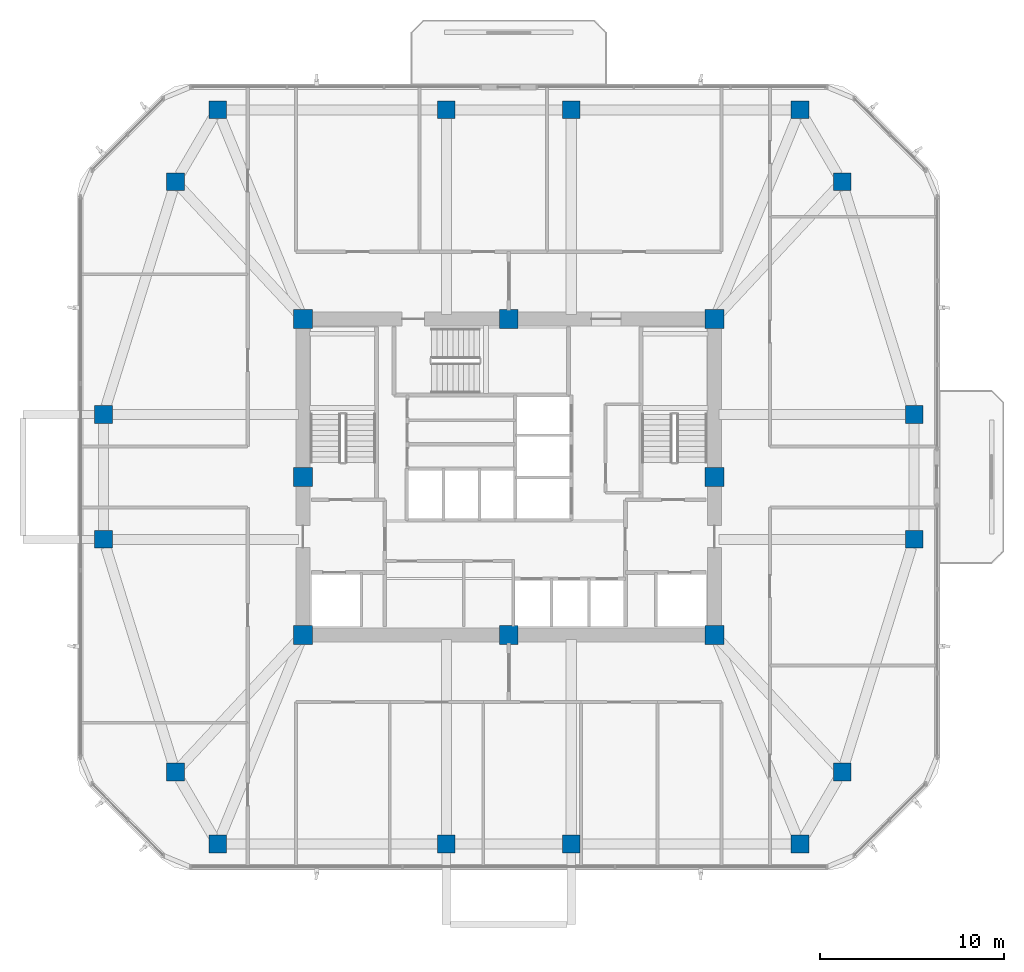
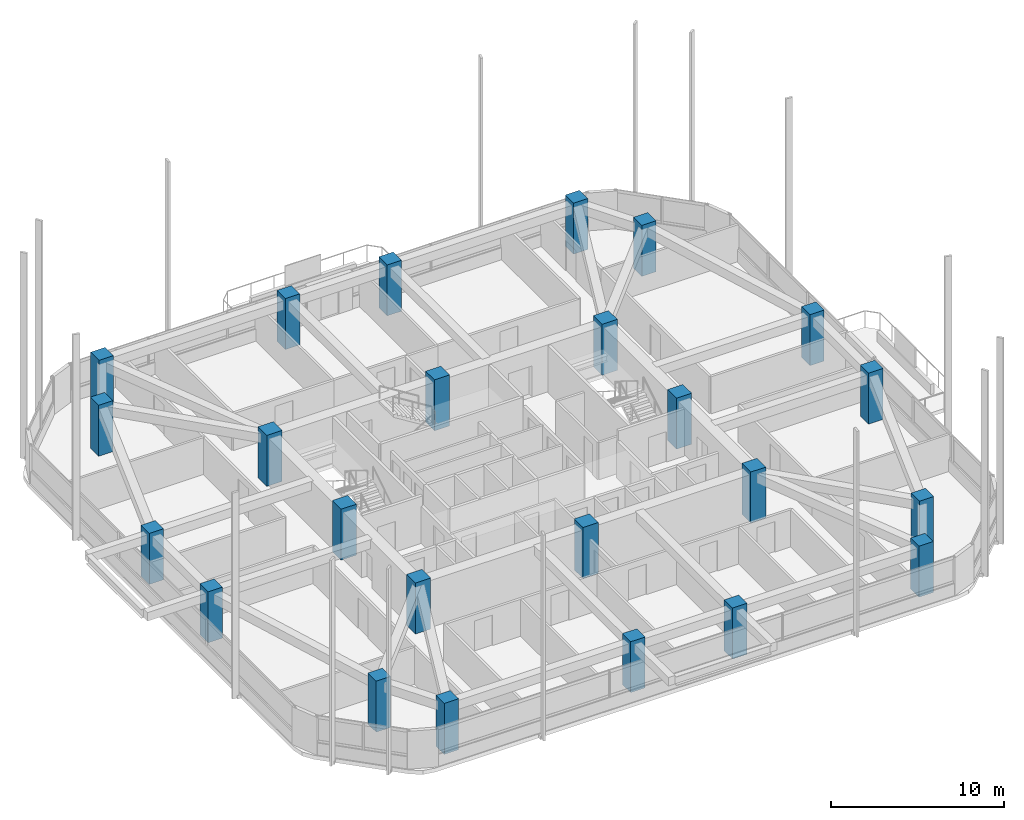
# One storey, part 1 of 14: 24 columns.
"""IFC4 building model written with IfcOpenShell, lengths in metres."""

from ifc_helpers import new_model, si_unit, derived_unit, direction, frame, origin, origin_2d, place, context, subcontext, project, spatial, rectangle, extrude, material, material_profile, profile_set, type_object, element, save


model = new_model("IFC4")

# Units and contexts
model_context = context("Model", 3, precision=1e-05, world=origin(), true_north=direction((0.0, 1.0)))
body_context = subcontext(model_context, "Body", "Model", "MODEL_VIEW")
ifc_project = project(units=[si_unit("LENGTHUNIT", "METRE"), si_unit("AREAUNIT", "SQUARE_METRE"), si_unit("VOLUMEUNIT", "CUBIC_METRE"), si_unit("PLANEANGLEUNIT", "RADIAN"), si_unit("MASSUNIT", "GRAM", prefix="KILO"), derived_unit("THERMALTRANSMITTANCEUNIT", [(si_unit("POWERUNIT", "WATT"), 1), (si_unit("LENGTHUNIT", "METRE"), -2), (si_unit("THERMODYNAMICTEMPERATUREUNIT", "KELVIN"), -1)])], contexts=[model_context])

# Site, building, storey
site_placement = place(None, origin())
site = spatial("IfcSite", under=ifc_project, at=site_placement, CompositionType="ELEMENT")
building_placement = place(site_placement, origin())
building = spatial("IfcBuilding", under=site, at=building_placement, Name="Koralith Skygarden Medical Center", CompositionType="ELEMENT")
storey_placement = place(building_placement, frame((0.0, 0.0, 145.6201171875)))
storey = spatial("IfcBuildingStorey", under=building, at=storey_placement, Name="L37", CompositionType="ELEMENT", Elevation=145.6201171875)

# Columns
ifc_material_1 = material(Name="Concrete C70/85", Category="concrete")
ifc_material_profile_1 = material_profile(ifc_material_1, rectangle(XDim=1.02001953125, YDim=1.02001953125, at=origin_2d()), Name="RC1020X1020")
ifc_profile_set_1 = profile_set([ifc_material_profile_1], Name="Concrete C70/85")
column_type_1 = type_object("IfcColumnType", Name="Core Mega-Column C70 RC1020", PredefinedType="COLUMN", material=ifc_profile_set_1)
for number, where, z_axis, x_axis, name in (
    (1, (25.800048828125, 17.300048828125, 0.0), (0.0, 0.0, 1.0), (1.0, 0.0, 0.0), "L37 Core Column CC-01"),
    (2, (37.0, 17.300048828125, 0.0), (0.0, 0.0, 1.0), (1.0, 0.0, 0.0), "L37 Core Column CC-02"),
    (3, (48.199951171875, 17.300048828125, 0.0), (0.0, 0.0, 1.0), (1.0, 0.0, 0.0), "L37 Core Column CC-03"),
    (4, (48.199951171875, 25.89990234375, 0.0), (0.0, 0.0, 1.0), (1.0, 0.0, 0.0), "L37 Core Column CC-04"),
    (5, (48.199951171875, 34.5, 0.0), (0.0, 0.0, 1.0), (1.0, 0.0, 0.0), "L37 Core Column CC-05"),
    (6, (37.0, 34.5, 0.0), (0.0, 0.0, 1.0), (1.0, 0.0, 0.0), "L37 Core Column CC-06"),
    (7, (25.800048828125, 34.5, 0.0), (0.0, 0.0, 1.0), (1.0, 0.0, 0.0), "L37 Core Column CC-07"),
    (8, (25.800048828125, 25.89990234375, 0.0), (0.0, 0.0, 1.0), (1.0, 0.0, 0.0), "L37 Core Column CC-08"),
):
    element("IfcColumn", number, at=place(storey_placement, frame(where, z_axis=z_axis, x_axis=x_axis)), inside=storey, type_object=column_type_1, Name=name, PredefinedType="COLUMN", context=body_context, shape_type="SweptSolid", body=[
        extrude(rectangle(XDim=1.02001953125, YDim=1.02001953125, at=origin_2d()), origin(), (0.0, 0.0, 1.0), 3.599853515625),
    ])
ifc_material_2 = material(Name="Concrete C55/67", Category="concrete")
ifc_material_profile_2 = material_profile(ifc_material_2, rectangle(XDim=0.9599609375, YDim=0.9599609375, at=origin_2d()), Name="RC960X960")
ifc_profile_set_2 = profile_set([ifc_material_profile_2], Name="Concrete C55/67")
column_type_2 = type_object("IfcColumnType", Name="Zone 3 Waist Mega-Column C55 RC960", PredefinedType="COLUMN", material=ifc_profile_set_2)
for number, where, z_axis, x_axis, name in (
    (9, (14.93603515625, 22.5, 0.0), (0.0, 0.0, 1.0), (1.0, 0.0, 0.0), "L37 Perimeter Mega-Column MC-01"),
    (10, (18.85595703125, 9.840087890625, 0.0), (0.0, 0.0, 1.0), (1.0, 0.0, 0.0), "L37 Perimeter Mega-Column MC-02"),
    (11, (21.14794921875, 5.919921875, 0.0), (0.0, 0.0, 1.0), (1.0, 0.0, 0.0), "L37 Perimeter Mega-Column MC-03"),
    (12, (33.60009765625, 5.919921875, 0.0), (0.0, 0.0, 1.0), (1.0, 0.0, 0.0), "L37 Perimeter Mega-Column MC-04"),
    (13, (40.39990234375, 5.919921875, 0.0), (0.0, 0.0, 1.0), (1.0, 0.0, 0.0), "L37 Perimeter Mega-Column MC-05"),
    (14, (52.85205078125, 5.919921875, 0.0), (0.0, 0.0, 1.0), (1.0, 0.0, 0.0), "L37 Perimeter Mega-Column MC-06"),
    (15, (55.14404296875, 9.840087890625, 0.0), (0.0, 0.0, 1.0), (1.0, 0.0, 0.0), "L37 Perimeter Mega-Column MC-07"),
    (16, (59.06396484375, 22.5, 0.0), (0.0, 0.0, 1.0), (1.0, 0.0, 0.0), "L37 Perimeter Mega-Column MC-08"),
    (17, (59.06396484375, 29.300048828125, 0.0), (0.0, 0.0, 1.0), (1.0, 0.0, 0.0), "L37 Perimeter Mega-Column MC-09"),
    (18, (55.14404296875, 41.9599609375, 0.0), (0.0, 0.0, 1.0), (1.0, 0.0, 0.0), "L37 Perimeter Mega-Column MC-10"),
    (19, (52.85205078125, 45.8798828125, 0.0), (0.0, 0.0, 1.0), (1.0, 0.0, 0.0), "L37 Perimeter Mega-Column MC-11"),
    (20, (40.39990234375, 45.8798828125, 0.0), (0.0, 0.0, 1.0), (1.0, 0.0, 0.0), "L37 Perimeter Mega-Column MC-12"),
    (21, (33.60009765625, 45.8798828125, 0.0), (0.0, 0.0, 1.0), (1.0, 0.0, 0.0), "L37 Perimeter Mega-Column MC-13"),
    (22, (21.14794921875, 45.8798828125, 0.0), (0.0, 0.0, 1.0), (1.0, 0.0, 0.0), "L37 Perimeter Mega-Column MC-14"),
    (23, (18.85595703125, 41.9599609375, 0.0), (0.0, 0.0, 1.0), (1.0, 0.0, 0.0), "L37 Perimeter Mega-Column MC-15"),
    (24, (14.93603515625, 29.300048828125, 0.0), (0.0, 0.0, 1.0), (1.0, 0.0, 0.0), "L37 Perimeter Mega-Column MC-16"),
):
    element("IfcColumn", number, at=place(storey_placement, frame(where, z_axis=z_axis, x_axis=x_axis)), inside=storey, type_object=column_type_2, Name=name, PredefinedType="COLUMN", context=body_context, shape_type="SweptSolid", body=[
        extrude(rectangle(XDim=0.9599609375, YDim=0.9599609375, at=origin_2d()), origin(), (0.0, 0.0, 1.0), 3.599853515625),
    ])

save(model, "model.ifc")
